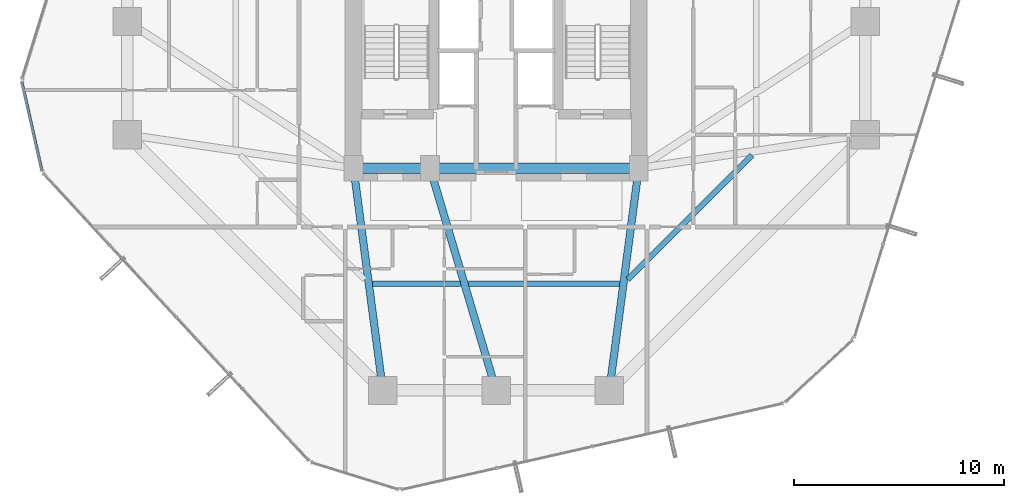
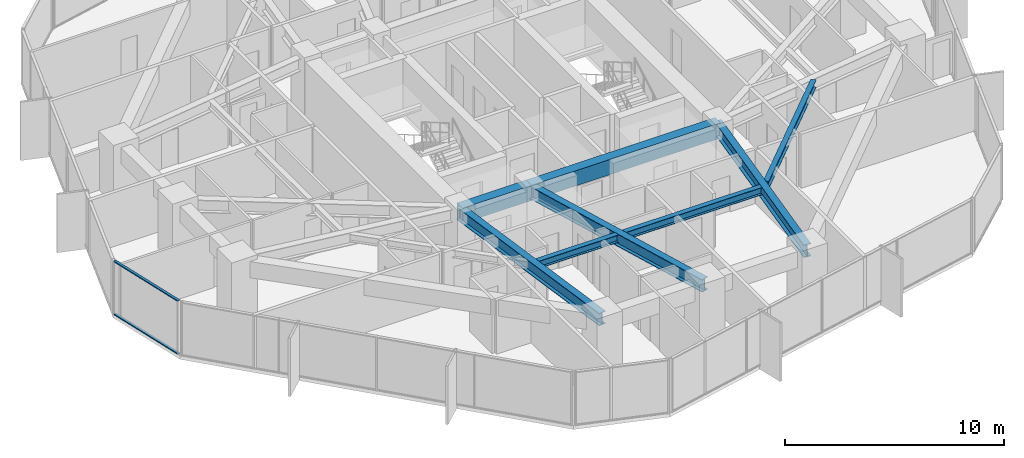
# One storey, part 9 of 39: 8 beams, 2 members, 1 element without a shape of its own.
"""IFC4 building model written with IfcOpenShell, lengths in metres."""

import ifcopenshell
import ifcopenshell.guid

model = None  # the IFC model being written
_history = None  # IfcOwnerHistory: only IFC2X3 demands one
_inside = {}  # id of a spatial element -> (the spatial element, [elements in it])
_under = {}  # id of a project, library or spatial element -> (it, [spatial elements below it])
_declared = {}  # id of a project -> (the project, [libraries it declares])
_typed = {}  # id of a type object -> (the type object, [elements of that type])
_made_of = {}  # id of a material, layer set ... -> (it, [elements and type objects made of it])


def new_model(schema):
    """Start an empty IFC model of exactly this schema.

    Asked for "IFC4X3", IfcOpenShell would pick the latest addendum, in which some entities
    have other attributes; the version numbers below select the first issue.
    IFC2X3 requires an IfcOwnerHistory on every rooted entity: one is made here for all.
    """
    global model, _history
    if schema == "IFC4X3":
        model = ifcopenshell.file(schema_version=(4, 3, 0, 0))
    else:
        model = ifcopenshell.file(schema=schema)
    _inside.clear()
    _under.clear()
    _declared.clear()
    _typed.clear()
    _made_of.clear()
    _history = None
    if model.schema == "IFC2X3":
        org = make("IfcOrganization", Name="unknown")
        user = make(
            "IfcPersonAndOrganization",
            ThePerson=make("IfcPerson", FamilyName="unknown"),
            TheOrganization=org,
        )
        app = make(
            "IfcApplication",
            ApplicationDeveloper=org,
            Version="unknown",
            ApplicationFullName="unknown",
            ApplicationIdentifier="unknown",
        )
        _history = make(
            "IfcOwnerHistory",
            OwningUser=user,
            OwningApplication=app,
            ChangeAction="ADDED",
            CreationDate=0,
        )
    return model


def make(cls, **values):
    """One entity of the class cls with the attributes given. An attribute that is None is left unset."""
    return model.create_entity(
        cls, **{name: value for name, value in values.items() if value is not None}
    )


def rooted(cls, **values):
    """An entity with a GlobalId (a new one), such as an element, a storey or a relation."""
    return make(cls, GlobalId=ifcopenshell.guid.new(), OwnerHistory=_history, **values)


def si_unit(unit_type, name, prefix=None):
    """IfcSIUnit, for example si_unit("LENGTHUNIT", "METRE", prefix="MILLI")."""
    return make("IfcSIUnit", UnitType=unit_type, Prefix=prefix, Name=name)


def assignment(units):
    """IfcUnitAssignment: the units of a project."""
    return None if units is None else make("IfcUnitAssignment", Units=units)


def point(xyz):
    """IfcCartesianPoint."""
    return None if xyz is None else make("IfcCartesianPoint", Coordinates=xyz)


def direction(xyz):
    """IfcDirection."""
    return None if xyz is None else make("IfcDirection", DirectionRatios=xyz)


def frame(location, z_axis=None, x_axis=None):
    """IfcAxis2Placement3D, a coordinate frame: its origin and axes. An axis left out is left unset."""
    return make(
        "IfcAxis2Placement3D",
        Location=point(location),
        Axis=direction(z_axis),
        RefDirection=direction(x_axis),
    )


def frame_2d(location, x_axis=None):
    """IfcAxis2Placement2D, a coordinate frame in the plane: its origin and x axis."""
    return make(
        "IfcAxis2Placement2D", Location=point(location), RefDirection=direction(x_axis)
    )


def origin():
    """The frame at (0, 0, 0) with its axes left unset."""
    return frame((0.0, 0.0, 0.0))


def origin_2d():
    """The frame at (0, 0) in the plane with its x axis left unset."""
    return frame_2d((0.0, 0.0))


def place(relative_to, where):
    """IfcLocalPlacement: puts the frame where relative to a parent placement (None: the world)."""
    return make(
        "IfcLocalPlacement", PlacementRelTo=relative_to, RelativePlacement=where
    )


def context(
    kind, dimensions, precision=None, world=None, true_north=None, identifier=None
):
    """IfcGeometricRepresentationContext, for example the 3D "Model" context."""
    return make(
        "IfcGeometricRepresentationContext",
        ContextIdentifier=identifier,
        ContextType=kind,
        CoordinateSpaceDimension=dimensions,
        Precision=precision,
        WorldCoordinateSystem=world,
        TrueNorth=true_north,
    )


def subcontext(parent, identifier, kind, view, scale=None):
    """IfcGeometricRepresentationSubContext, for example "Body" below "Model"."""
    return make(
        "IfcGeometricRepresentationSubContext",
        ContextIdentifier=identifier,
        ContextType=kind,
        ParentContext=parent,
        TargetScale=scale,
        TargetView=view,
    )


def project(units=None, contexts=None):
    """IfcProject with its units and contexts."""
    return rooted(
        "IfcProject",
        Name="project",
        RepresentationContexts=contexts,
        UnitsInContext=assignment(units),
    )


def spatial(cls, under=None, at=None, **own):
    """A site, building, storey or space (cls), placed at a placement, below another one or the project."""
    s = rooted(cls, ObjectPlacement=at, **own)
    if under is not None:
        _under.setdefault(under.id(), (under, []))[1].append(s)
    return s


def profile(cls, at=None, kind="AREA", **sizes):
    """A parametric profile (cls). Its sizes go by their IFC names, for example OverallWidth=200.0."""
    return make(cls, ProfileType=kind, Position=at, **sizes)


def rectangle(**sizes):
    """IfcRectangleProfileDef."""
    return profile("IfcRectangleProfileDef", **sizes)


def hollow_rectangle(**sizes):
    """IfcRectangleHollowProfileDef."""
    return profile("IfcRectangleHollowProfileDef", **sizes)


def i_section(**sizes):
    """IfcIShapeProfileDef."""
    return profile("IfcIShapeProfileDef", **sizes)


def extrude(swept, where, along, depth):
    """IfcExtrudedAreaSolid: the profile swept, set in the frame where, extruded along a direction by depth."""
    return make(
        "IfcExtrudedAreaSolid",
        SweptArea=swept,
        Position=where,
        ExtrudedDirection=direction(along),
        Depth=depth,
    )


def shape(context_of_items, identifier, shape_type, items):
    """IfcShapeRepresentation: the items that make up one representation, for example the "Body"."""
    return make(
        "IfcShapeRepresentation",
        ContextOfItems=context_of_items,
        RepresentationIdentifier=identifier,
        RepresentationType=shape_type,
        Items=items,
    )


def source(mapping_origin, context_of_items, identifier, shape_type, items):
    """IfcRepresentationMap: a shape defined once, which mapped items show again and again."""
    return make(
        "IfcRepresentationMap",
        MappingOrigin=mapping_origin,
        MappedRepresentation=shape(context_of_items, identifier, shape_type, items),
    )


def transform(
    local_origin,
    x_axis=None,
    y_axis=None,
    z_axis=None,
    scale=None,
    scale2=None,
    scale3=None,
    uniform=True,
):
    """IfcCartesianTransformationOperator3D, or its non-uniform kind. x_axis, y_axis, z_axis: its Axis1, 2, 3."""
    if uniform:
        return make(
            "IfcCartesianTransformationOperator3D",
            Axis1=direction(x_axis),
            Axis2=direction(y_axis),
            LocalOrigin=point(local_origin),
            Scale=scale,
            Axis3=direction(z_axis),
        )
    return make(
        "IfcCartesianTransformationOperator3DnonUniform",
        Axis1=direction(x_axis),
        Axis2=direction(y_axis),
        LocalOrigin=point(local_origin),
        Scale=scale,
        Axis3=direction(z_axis),
        Scale2=scale2,
        Scale3=scale3,
    )


def mapped(mapping_source, mapping_target):
    """IfcMappedItem: shows the shape of a source again, moved by a transform."""
    return make(
        "IfcMappedItem", MappingSource=mapping_source, MappingTarget=mapping_target
    )


def material(Name=None, Category=None):
    """IfcMaterial."""
    return make("IfcMaterial", Name=Name, Category=Category)


def layer(
    of_material, thickness, ventilated=None, Name=None, Category=None, Priority=None
):
    """IfcMaterialLayer: one layer of a wall or slab, of a material (None: an air gap)."""
    return make(
        "IfcMaterialLayer",
        Material=of_material,
        LayerThickness=thickness,
        IsVentilated=ventilated,
        Name=Name,
        Category=Category,
        Priority=Priority,
    )


def layer_set(layers, Name=None):
    """IfcMaterialLayerSet."""
    return make("IfcMaterialLayerSet", MaterialLayers=layers, LayerSetName=Name)


def material_profile(
    of_material, cross_section, Name=None, Category=None, Priority=None
):
    """IfcMaterialProfile: a cross section and its material."""
    return make(
        "IfcMaterialProfile",
        Name=Name,
        Material=of_material,
        Profile=cross_section,
        Priority=Priority,
        Category=Category,
    )


def profile_set(profiles, Name=None, composite=None):
    """IfcMaterialProfileSet."""
    return make(
        "IfcMaterialProfileSet",
        Name=Name,
        MaterialProfiles=profiles,
        CompositeProfile=composite,
    )


def made_of(thing, what):
    """Note that an element or type object is made of a material, layer set ...; save() writes the relation."""
    if what is not None:
        _made_of.setdefault(what.id(), (what, []))[1].append(thing)
    return thing


def type_object(cls, material=None, **own):
    """A type object (cls), such as IfcWallType, which elements share."""
    return made_of(rooted(cls, **own), material)


def element(
    cls,
    number,
    at=None,
    inside=None,
    cuts=None,
    type_object=None,
    material=None,
    context=None,
    identifier="Body",
    shape_type=None,
    held_by="IfcProductDefinitionShape",
    body=None,
    shapes=None,
    **own,
):
    """One element of the class cls, such as IfcWall. Its Tag is "e" and its number.

    at: its placement. inside: the storey or other place that contains it. cuts: it is an
    opening in that element (IfcRelVoidsElement). A single representation is given by context,
    identifier, shape_type and body (its items); several are given by shapes. held_by: the class
    of the entity that holds the representations. save() writes the other relations.
    """
    e = rooted(cls, Tag="e%d" % number, ObjectPlacement=at, **own)
    if body is not None:
        shapes = [shape(context, identifier, shape_type, body)]
    if shapes is not None:
        e.Representation = make(held_by, Representations=shapes)
    if inside is not None:
        _inside.setdefault(inside.id(), (inside, []))[1].append(e)
    if cuts is not None:
        rooted(
            "IfcRelVoidsElement", RelatingBuildingElement=cuts, RelatedOpeningElement=e
        )
    if type_object is not None:
        _typed.setdefault(type_object.id(), (type_object, []))[1].append(e)
    return made_of(e, material)


def aggregate(whole, parts):
    """IfcRelAggregates: a whole, such as a stair, and the parts it consists of."""
    return rooted("IfcRelAggregates", RelatingObject=whole, RelatedObjects=parts)


def save(model, path):
    """Write the relations noted so far, then the file.

    IfcRelAggregates (storeys below a building ...), IfcRelContainedInSpatialStructure (elements
    in a storey), IfcRelDefinesByType, IfcRelAssociatesMaterial and IfcRelDeclares: one each for
    every whole, place, type object, material and project.
    """
    for whole, parts in _under.values():
        aggregate(whole, parts)
    for where, things in _inside.values():
        rooted(
            "IfcRelContainedInSpatialStructure",
            RelatedElements=things,
            RelatingStructure=where,
        )
    for kind, things in _typed.values():
        rooted("IfcRelDefinesByType", RelatedObjects=things, RelatingType=kind)
    for what, things in _made_of.values():
        rooted("IfcRelAssociatesMaterial", RelatedObjects=things, RelatingMaterial=what)
    for by, libraries in _declared.values():
        rooted("IfcRelDeclares", RelatingContext=by, RelatedDefinitions=libraries)
    model.write(path)


model = new_model("IFC4")

# Units and contexts
model_context = context("Model", 3, precision=1e-05, world=origin(), true_north=direction((0.0, 1.0)))
body_context = subcontext(model_context, "Body", "Model", "MODEL_VIEW")
ifc_project = project(units=[si_unit("LENGTHUNIT", "METRE"), si_unit("AREAUNIT", "SQUARE_METRE"), si_unit("VOLUMEUNIT", "CUBIC_METRE"), si_unit("PLANEANGLEUNIT", "RADIAN"), si_unit("MASSUNIT", "GRAM", prefix="KILO")], contexts=[model_context])

# Site, building, storey
site_placement = place(None, origin())
site = spatial("IfcSite", under=ifc_project, at=site_placement, CompositionType="ELEMENT")
building_placement = place(site_placement, origin())
building = spatial("IfcBuilding", under=site, at=building_placement, Name="Veraguas Prism Commons", CompositionType="ELEMENT")
storey_placement = place(building_placement, frame((0.0, 0.0, 67.35009765625)))
storey = spatial("IfcBuildingStorey", under=building, at=storey_placement, Name="L18", CompositionType="ELEMENT", Elevation=67.35009765625)

# Beams
ifc_material_1 = material(Name="Concrete C50/60", Category="concrete")
ifc_material_profile_1 = material_profile(ifc_material_1, rectangle(XDim=0.5, YDim=0.85009765625, at=origin_2d()), Name="RC500X850")
ifc_profile_set_1 = profile_set([ifc_material_profile_1], Name="Concrete C50/60")
beam_type_1 = type_object("IfcBeamType", Name="Core Coupling Beam RC 500x850", PredefinedType="BEAM", material=ifc_profile_set_1)
beam_1_placement = place(storey_placement, frame((17.199951171875, 17.0, 2.574951171875), z_axis=(1.0, 0.0, 0.0), x_axis=(0.0, 1.0, 0.0)))
element("IfcBeam", 1, at=beam_1_placement, inside=storey, type_object=beam_type_1, Name="Core Coupling Beam L18-CRS1", PredefinedType="BEAM", context=body_context, shape_type="SweptSolid", body=[
    extrude(rectangle(XDim=0.5, YDim=0.85009765625, at=origin_2d()), origin(), (0.0, 0.0, 1.0), 3.650146484375),
])
beam_2_placement = place(storey_placement, frame((20.85009765625, 17.0, 2.574951171875), z_axis=(1.0, 0.0, 0.0), x_axis=(0.0, 1.0, 0.0)))
element("IfcBeam", 2, at=beam_2_placement, inside=storey, type_object=beam_type_1, Name="Core Coupling Beam L18-CRS2", PredefinedType="BEAM", context=body_context, shape_type="SweptSolid", body=[
    extrude(rectangle(XDim=0.5, YDim=0.85009765625, at=origin_2d()), origin(), (0.0, 0.0, 1.0), 9.949951171875),
])
ifc_material_2 = material(Name="Steel ASTM A992 Grade 50", Category="steel")
ifc_material_profile_2 = material_profile(ifc_material_2, i_section(OverallWidth=0.260986328125, OverallDepth=0.419921875, WebThickness=0.01171875, FlangeThickness=0.019287109375, at=origin_2d()), Name="W410X114")
ifc_profile_set_2 = profile_set([ifc_material_profile_2], Name="Steel ASTM A992 Grade 50")
beam_type_2 = type_object("IfcBeamType", Name="Lower Floor Joist W410x114", PredefinedType="JOIST", material=ifc_profile_set_2)
beam_3_placement = place(storey_placement, frame((18.10546875, 11.488037109375, 2.789794921875), z_axis=(1.0, 0.0, 0.0), x_axis=(0.0, 1.0, 0.0)))
element("IfcBeam", 3, at=beam_3_placement, inside=storey, type_object=beam_type_2, Name="Composite Floor Joist L18-JS10", PredefinedType="JOIST", context=body_context, shape_type="SweptSolid", body=[
    extrude(i_section(OverallWidth=0.260986328125, OverallDepth=0.419921875, WebThickness=0.01171875, FlangeThickness=0.019287109375, at=origin_2d()), origin(), (0.0, 0.0, 1.0), 4.198974609375),
])
beam_4_placement = place(storey_placement, frame((22.671630859375, 11.488037109375, 2.789794921875), z_axis=(1.0, 0.0, 0.0), x_axis=(0.0, 1.0, 0.0)))
element("IfcBeam", 4, at=beam_4_placement, inside=storey, type_object=beam_type_2, Name="Composite Floor Joist L18-JS11", PredefinedType="JOIST", context=body_context, shape_type="SweptSolid", body=[
    extrude(i_section(OverallWidth=0.260986328125, OverallDepth=0.419921875, WebThickness=0.01171875, FlangeThickness=0.019287109375, at=origin_2d()), origin(), (0.0, 0.0, 1.0), 7.222900390625),
])
beam_5_placement = place(storey_placement, frame((30.276611328125, 11.6923828125, 2.789794921875), z_axis=(0.707092226423, 0.70712133565, 0.0), x_axis=(-0.70712133565, 0.707092226423, 0.0)))
element("IfcBeam", 5, at=beam_5_placement, inside=storey, type_object=beam_type_2, Name="Composite Floor Joist L18-JS12", PredefinedType="JOIST", context=body_context, shape_type="SweptSolid", body=[
    extrude(i_section(OverallWidth=0.260986328125, OverallDepth=0.419921875, WebThickness=0.01171875, FlangeThickness=0.019287109375, at=origin_2d()), origin(), (0.0, 0.0, 1.0), 8.386962890625),
])
ifc_material_profile_3 = material_profile(ifc_material_2, i_section(OverallWidth=0.35595703125, OverallDepth=0.700927734375, WebThickness=0.016845703125, FlangeThickness=0.02734375, at=origin_2d()), Name="W690X240")
ifc_profile_set_3 = profile_set([ifc_material_profile_3], Name="Steel ASTM A992 Grade 50")
beam_type_3 = type_object("IfcBeamType", Name="Zone 1 Radial Girder W690x240", PredefinedType="BEAM", material=ifc_profile_set_3)
beam_6_placement = place(storey_placement, frame((18.60009765625, 6.39990234375, 2.6494140625), z_axis=(-0.130950648891, 0.991388888154, 0.0), x_axis=(-0.991388888154, -0.130950648891, 0.0)))
element("IfcBeam", 6, at=beam_6_placement, inside=storey, type_object=beam_type_3, Name="Radial Floor Girder L18-RD10", PredefinedType="BEAM", context=body_context, shape_type="SweptSolid", body=[
    extrude(i_section(OverallWidth=0.35595703125, OverallDepth=0.700927734375, WebThickness=0.016845703125, FlangeThickness=0.02734375, at=origin_2d()), origin(), (0.0, 0.0, 1.0), 10.692138671875),
])
beam_7_placement = place(storey_placement, frame((24.0, 6.39990234375, 2.6494140625), z_axis=(-0.28484745997, 0.958572858237, 0.0), x_axis=(-0.958572858237, -0.28484745997, 0.0)))
element("IfcBeam", 7, at=beam_7_placement, inside=storey, type_object=beam_type_3, Name="Radial Floor Girder L18-RD11", PredefinedType="BEAM", context=body_context, shape_type="SweptSolid", body=[
    extrude(i_section(OverallWidth=0.35595703125, OverallDepth=0.700927734375, WebThickness=0.016845703125, FlangeThickness=0.02734375, at=origin_2d()), origin(), (0.0, 0.0, 1.0), 11.05810546875),
])
beam_8_placement = place(storey_placement, frame((29.39990234375, 6.39990234375, 2.6494140625), z_axis=(0.130950648891, 0.991388888154, 0.0), x_axis=(-0.991388888154, 0.130950648891, 0.0)))
element("IfcBeam", 8, at=beam_8_placement, inside=storey, type_object=beam_type_3, Name="Radial Floor Girder L18-RD12", PredefinedType="BEAM", context=body_context, shape_type="SweptSolid", body=[
    extrude(i_section(OverallWidth=0.35595703125, OverallDepth=0.700927734375, WebThickness=0.016845703125, FlangeThickness=0.02734375, at=origin_2d()), origin(), (0.0, 0.0, 1.0), 10.692138671875),
])

# Curtain wall, members
ifc_material_3 = material(Name="Anodised aluminium EN AW-6063 T6", Category="aluminium")
ifc_layer = layer(ifc_material_3, 0.169921875, Name="Unitised Flush Curtain Wall Zone 1", Category="aluminium")
ifc_layer_set = layer_set([ifc_layer], Name="Anodised aluminium EN AW-6063 T6")
curtain_wall_type = type_object("IfcCurtainWallType", Name="Unitised Flush Curtain Wall Zone 1", PredefinedType="NOTDEFINED", material=ifc_layer_set)
curtain_wall_placement = place(storey_placement, origin())
curtain_wall = element("IfcCurtainWall", 9, at=curtain_wall_placement, inside=storey, type_object=curtain_wall_type, Name="Chamfer Curtain Wall L18-C4", PredefinedType="NOTDEFINED")
ifc_material_profile_4 = material_profile(ifc_material_3, hollow_rectangle(XDim=0.054931640625, YDim=0.135009765625, WallThickness=0.0029296875, at=origin_2d()), Name="AL55X135X3")
ifc_profile_set_4 = profile_set([ifc_material_profile_4], Name="Anodised aluminium EN AW-6063 T6")
member_type = type_object("IfcMemberType", Name="Curtain Wall Transom Standard AL 55x135x3", PredefinedType="USERDEFINED", material=ifc_profile_set_4)
shared_shape = source(origin(), body_context, "Body", "SweptSolid", [
    extrude(hollow_rectangle(XDim=0.054931640625, YDim=0.135009765625, WallThickness=0.0029296875, at=origin_2d()), origin(), (0.0, 0.0, 1.0), 4.320068359375),
])
member_1_placement = place(storey_placement, frame((1.381591796875, 21.1005859375, 0.02734375), z_axis=(0.220519319315, -0.975382606883, 0.0), x_axis=(0.0, 0.0, 1.0)))
member_1 = element("IfcMember", 10, at=member_1_placement, type_object=member_type, Name="CW-Z1 Transom 1", ObjectType="TRANSOM", PredefinedType="USERDEFINED", context=body_context, shape_type="MappedRepresentation", body=[
    mapped(shared_shape, transform((0.0, 0.0, 0.0), scale=1.0)),
])
member_2_placement = place(storey_placement, frame((1.381591796875, 21.1005859375, 2.972412109375), z_axis=(0.220519319315, -0.975382606883, 0.0), x_axis=(0.0, 0.0, 1.0)))
member_2 = element("IfcMember", 11, at=member_2_placement, type_object=member_type, Name="CW-Z1 Transom 2", ObjectType="TRANSOM", PredefinedType="USERDEFINED", context=body_context, shape_type="MappedRepresentation", body=[
    mapped(shared_shape, transform((0.0, 0.0, 0.0), scale=1.0)),
])
aggregate(curtain_wall, [member_1, member_2])

save(model, "model.ifc")
